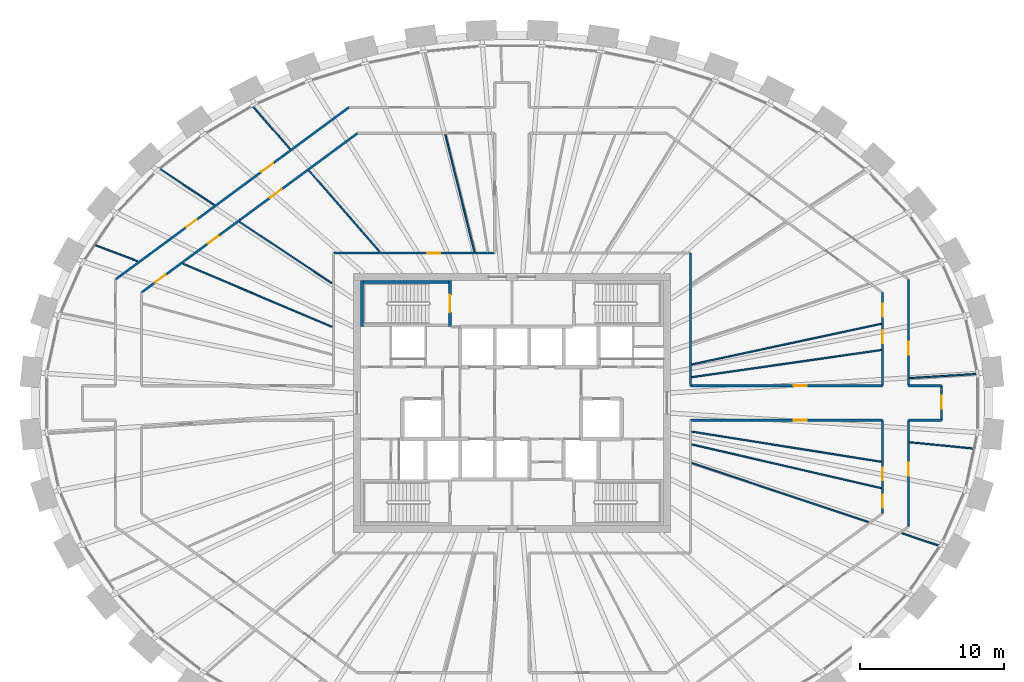
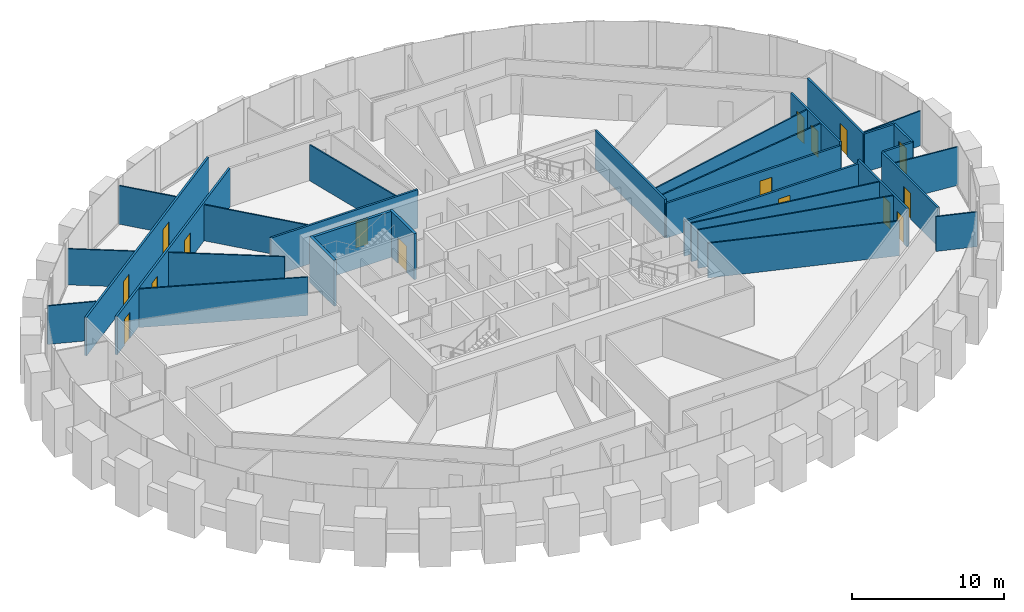
# One storey, part 9 of 12: 31 walls, 16 doors, 16 openings.
"""IFC4 building model written with IfcOpenShell, lengths in metres."""

from ifc_helpers import new_model, si_unit, direction, frame, frame_2d, origin, place, context, subcontext, project, spatial, rectangle, extrude, source, transform, mapped, material, layer, layer_set, type_object, element, fill, save


model = new_model("IFC4")

# Units and contexts
model_context = context("Model", 3, precision=1e-05, world=origin(), true_north=direction((0.0, 1.0)))
body_context = subcontext(model_context, "Body", "Model", "MODEL_VIEW")
ifc_project = project(units=[si_unit("LENGTHUNIT", "METRE"), si_unit("AREAUNIT", "SQUARE_METRE"), si_unit("VOLUMEUNIT", "CUBIC_METRE"), si_unit("PLANEANGLEUNIT", "RADIAN"), si_unit("MASSUNIT", "GRAM", prefix="KILO")], contexts=[model_context])

# Site, building, storey
site_placement = place(None, origin())
site = spatial("IfcSite", under=ifc_project, at=site_placement, CompositionType="ELEMENT")
building_placement = place(site_placement, origin())
building = spatial("IfcBuilding", under=site, at=building_placement, Name="Embergate Tower", CompositionType="ELEMENT")
storey_placement = place(building_placement, frame((0.0, 0.0, 246.10009765625)))
storey = spatial("IfcBuildingStorey", under=building, at=storey_placement, Name="L56", CompositionType="ELEMENT", Elevation=246.10009765625)

# Wall, opening, door
ifc_material_1 = material(Name="Concrete C50", Category="concrete")
ifc_layer_1 = layer(ifc_material_1, 0.199951171875)
ifc_layer_set_1 = layer_set([ifc_layer_1], Name="Concrete C50")
wall_type_1 = type_object("IfcWallType", Name="Stair enclosure wall reinforced concrete 250", PredefinedType="SHEAR", material=ifc_layer_set_1)
shared_shape_1 = source(origin(), body_context, "Body", "SweptSolid", [
    extrude(rectangle(XDim=3.199951171875, YDim=0.199951171875, at=frame_2d((1.60009765625, 0.0))), origin(), (0.0, 0.0, 1.0), 3.699951171875),
])
wall_1_placement = place(storey_placement, frame((-4.300048828125, 5.300048828125, 0.0), z_axis=(0.0, 0.0, 1.0), x_axis=(0.0, 1.0, 0.0)))
wall_1 = element("IfcWall", 1, at=wall_1_placement, inside=storey, type_object=wall_type_1, Name="SE-1 wall", PredefinedType="SHEAR", context=body_context, shape_type="MappedRepresentation", body=[
    mapped(shared_shape_1, transform((0.0, 0.0, 0.0))),
])
shared_shape_2 = source(origin(), body_context, "Body", "SweptSolid", [
    extrude(rectangle(XDim=1.199951171875, YDim=2.10009765625, at=frame_2d((0.60009765625, 1.050048828125))), frame((0.0, 0.10986328125, 0.0), z_axis=(0.0, -1.0, 0.0), x_axis=(1.0, 0.0, 0.0)), (0.0, 0.0, 1.0), 0.219970703125),
])
opening_1_placement = place(wall_1_placement, frame((1.0, 0.0, 0.0)))
opening_1 = element("IfcOpeningElement", 2, at=opening_1_placement, cuts=wall_1, Name="Opening IF-2", PredefinedType="OPENING", context=body_context, shape_type="MappedRepresentation", body=[
    mapped(shared_shape_2, transform((0.0, 0.0, 0.0))),
])
ifc_material_2 = material(Name="Stair enclosure door 1200")
door_type_1 = type_object("IfcDoorType", Name="Stair enclosure door 1200", OperationType="SINGLE_SWING_LEFT", PredefinedType="DOOR", material=ifc_material_2)
shared_shape_3 = source(origin(), body_context, "Body", "SweptSolid", [
    extrude(rectangle(XDim=1.199951171875, YDim=2.10009765625, at=frame_2d((0.60009765625, 1.050048828125))), frame((0.0, 0.02490234375, 0.0), z_axis=(0.0, -1.0, 0.0), x_axis=(1.0, 0.0, 0.0)), (0.0, 0.0, 1.0), 0.050048828125),
])
door_1_placement = place(opening_1_placement, origin())
door_1 = element("IfcDoor", 3, at=door_1_placement, inside=storey, type_object=door_type_1, Name="IF-2 door", OperationType="SINGLE_SWING_LEFT", OverallHeight=2.10009765625, OverallWidth=1.199951171875, PredefinedType="DOOR", context=body_context, shape_type="MappedRepresentation", body=[
    mapped(shared_shape_3, transform((0.0, 0.0, 0.0))),
])
fill(opening_1, door_1)

ifc_material_3 = material(Name="Corridor wall dry-lined 150 wet")
ifc_layer_2 = layer(ifc_material_3, 0.14990234375)
ifc_layer_set_2 = layer_set([ifc_layer_2], Name="Corridor wall dry-lined 150 wet")
wall_type_2 = type_object("IfcWallType", Name="Corridor wall dry-lined 150 wet", PredefinedType="PLUMBINGWALL", material=ifc_layer_set_2)
shared_shape_4 = source(origin(), body_context, "Body", "SweptSolid", [
    extrude(rectangle(XDim=2.39990234375, YDim=0.14990234375, at=frame_2d((1.199951171875, 0.0))), origin(), (0.0, 0.0, 1.0), 3.099853515625),
])
wall_2_placement = place(storey_placement, frame((29.803955078125, -1.199951171875, 0.0), z_axis=(0.0, 0.0, 1.0), x_axis=(0.0, 1.0, 0.0)))
wall_2 = element("IfcWall", 4, at=wall_2_placement, inside=storey, type_object=wall_type_2, Name="IP-2 wall", PredefinedType="PLUMBINGWALL", context=body_context, shape_type="MappedRepresentation", body=[
    mapped(shared_shape_4, transform((0.0, 0.0, 0.0))),
])
shared_shape_5 = source(origin(), body_context, "Body", "SweptSolid", [
    extrude(rectangle(XDim=0.89990234375, YDim=2.10009765625, at=frame_2d((0.449951171875, 1.050048828125))), frame((0.0, 0.0849609375, 0.0), z_axis=(0.0, -1.0, 0.0), x_axis=(1.0, 0.0, 0.0)), (0.0, 0.0, 1.0), 0.169921875),
])
opening_2_placement = place(wall_2_placement, frame((0.794921875, 0.0, 0.0)))
opening_2 = element("IfcOpeningElement", 5, at=opening_2_placement, cuts=wall_2, Name="Opening IF-1c", PredefinedType="OPENING", context=body_context, shape_type="MappedRepresentation", body=[
    mapped(shared_shape_5, transform((0.0, 0.0, 0.0))),
])
ifc_material_4 = material(Name="Escape fire door 900")
door_type_2 = type_object("IfcDoorType", Name="Escape fire door 900", OperationType="SINGLE_SWING_LEFT", PredefinedType="DOOR", material=ifc_material_4)
shared_shape_6 = source(origin(), body_context, "Body", "SweptSolid", [
    extrude(rectangle(XDim=0.89990234375, YDim=2.10009765625, at=frame_2d((0.449951171875, 1.050048828125))), frame((0.0, 0.02490234375, 0.0), z_axis=(0.0, -1.0, 0.0), x_axis=(1.0, 0.0, 0.0)), (0.0, 0.0, 1.0), 0.050048828125),
])
door_2_placement = place(opening_2_placement, origin())
door_2 = element("IfcDoor", 6, at=door_2_placement, inside=storey, type_object=door_type_2, Name="IF-1 door", OperationType="SINGLE_SWING_RIGHT", OverallHeight=2.10009765625, OverallWidth=0.89990234375, PredefinedType="DOOR", context=body_context, shape_type="MappedRepresentation", body=[
    mapped(shared_shape_6, transform((0.0, 0.0, 0.0))),
])
fill(opening_2, door_2)

shared_shape_7 = source(origin(), body_context, "Body", "SweptSolid", [
    extrude(rectangle(XDim=7.381103515625, YDim=0.14990234375, at=frame_2d((3.6904296875, 0.0))), origin(), (0.0, 0.0, 1.0), 3.099853515625),
])
wall_3_placement = place(storey_placement, frame((27.510986328125, -8.5810546875, 0.0), z_axis=(0.0, 0.0, 1.0), x_axis=(0.0, 1.0, 0.0)))
wall_3 = element("IfcWall", 7, at=wall_3_placement, inside=storey, type_object=wall_type_2, Name="IP-2 wall", PredefinedType="PLUMBINGWALL", context=body_context, shape_type="MappedRepresentation", body=[
    mapped(shared_shape_7, transform((0.0, 0.0, 0.0))),
])
opening_3_placement = place(wall_3_placement, frame((3.533447265625, 0.0, 0.0)))
opening_3 = element("IfcOpeningElement", 8, at=opening_3_placement, cuts=wall_3, Name="Opening IF-1c", PredefinedType="OPENING", context=body_context, shape_type="MappedRepresentation", body=[
    mapped(shared_shape_5, transform((0.0, 0.0, 0.0))),
])
door_3_placement = place(opening_3_placement, origin())
door_3 = element("IfcDoor", 9, at=door_3_placement, inside=storey, type_object=door_type_2, Name="IF-1 door", OperationType="SINGLE_SWING_LEFT", OverallHeight=2.10009765625, OverallWidth=0.89990234375, PredefinedType="DOOR", context=body_context, shape_type="MappedRepresentation", body=[
    mapped(shared_shape_6, transform((0.0, 0.0, 0.0))),
])
fill(opening_3, door_3)

wall_4_placement = place(storey_placement, frame((27.510986328125, 1.199951171875, 0.0), z_axis=(0.0, 0.0, 1.0), x_axis=(0.0, 1.0, 0.0)))
wall_4 = element("IfcWall", 10, at=wall_4_placement, inside=storey, type_object=wall_type_2, Name="IP-2 wall", PredefinedType="PLUMBINGWALL", context=body_context, shape_type="MappedRepresentation", body=[
    mapped(shared_shape_7, transform((0.0, 0.0, 0.0))),
])
opening_4_placement = place(wall_4_placement, frame((2.159912109375, 0.0, 0.0)))
opening_4 = element("IfcOpeningElement", 11, at=opening_4_placement, cuts=wall_4, Name="Opening IF-1c", PredefinedType="OPENING", context=body_context, shape_type="MappedRepresentation", body=[
    mapped(shared_shape_5, transform((0.0, 0.0, 0.0))),
])
door_4_placement = place(opening_4_placement, origin())
door_4 = element("IfcDoor", 12, at=door_4_placement, inside=storey, type_object=door_type_2, Name="IF-1 door", OperationType="SINGLE_SWING_RIGHT", OverallHeight=2.10009765625, OverallWidth=0.89990234375, PredefinedType="DOOR", context=body_context, shape_type="MappedRepresentation", body=[
    mapped(shared_shape_6, transform((0.0, 0.0, 0.0))),
])
fill(opening_4, door_4)

# Wall, openings, doors
ifc_material_5 = material(Name="Corridor wall dry-lined 150")
ifc_layer_3 = layer(ifc_material_5, 0.14990234375)
ifc_layer_set_3 = layer_set([ifc_layer_3], Name="Corridor wall dry-lined 150")
wall_type_3 = type_object("IfcWallType", Name="Corridor wall dry-lined 150", PredefinedType="PARTITIONING", material=ifc_layer_set_3)
shared_shape_8 = source(origin(), body_context, "Body", "SweptSolid", [
    extrude(rectangle(XDim=20.116455078125, YDim=0.14990234375, at=frame_2d((10.05810546875, 0.0))), origin(), (0.0, 0.0, 1.0), 3.099853515625),
])
wall_5_placement = place(storey_placement, frame((-27.510986328125, 8.5810546875, 0.0), z_axis=(0.0, 0.0, 1.0), x_axis=(0.804910001979, 0.593396906559, 0.0)))
wall_5 = element("IfcWall", 13, at=wall_5_placement, inside=storey, type_object=wall_type_3, Name="IP-2 wall", PredefinedType="PARTITIONING", context=body_context, shape_type="MappedRepresentation", body=[
    mapped(shared_shape_8, transform((0.0, 0.0, 0.0))),
])
shared_shape_9 = source(origin(), body_context, "Body", "SweptSolid", [
    extrude(rectangle(XDim=1.0, YDim=2.10009765625, at=frame_2d((0.5, 1.050048828125))), frame((0.0, 0.0849609375, 0.0), z_axis=(0.0, -1.0, 0.0), x_axis=(1.0, 0.0, 0.0)), (0.0, 0.0, 1.0), 0.169921875),
])
opening_5_placement = place(wall_5_placement, frame((12.591552734375, 0.0, 0.0)))
opening_5 = element("IfcOpeningElement", 14, at=opening_5_placement, cuts=wall_5, Name="Opening ID-2", PredefinedType="OPENING", context=body_context, shape_type="MappedRepresentation", body=[
    mapped(shared_shape_9, transform((0.0, 0.0, 0.0))),
])
opening_6_placement = place(wall_5_placement, frame((6.0927734375, 0.0, 0.0)))
opening_6 = element("IfcOpeningElement", 15, at=opening_6_placement, cuts=wall_5, Name="Opening IF-1c", PredefinedType="OPENING", context=body_context, shape_type="MappedRepresentation", body=[
    mapped(shared_shape_5, transform((0.0, 0.0, 0.0))),
])
door_5_placement = place(opening_6_placement, origin())
door_5 = element("IfcDoor", 16, at=door_5_placement, inside=storey, type_object=door_type_2, Name="IF-1 door", OperationType="SINGLE_SWING_LEFT", OverallHeight=2.10009765625, OverallWidth=0.89990234375, PredefinedType="DOOR", context=body_context, shape_type="MappedRepresentation", body=[
    mapped(shared_shape_6, transform((0.0, 0.0, 0.0))),
])
fill(opening_6, door_5)
ifc_material_6 = material(Name="Interior door 1000")
door_type_3 = type_object("IfcDoorType", Name="Interior door 1000", OperationType="SINGLE_SWING_LEFT", PredefinedType="DOOR", material=ifc_material_6)
shared_shape_10 = source(origin(), body_context, "Body", "SweptSolid", [
    extrude(rectangle(XDim=1.0, YDim=2.10009765625, at=frame_2d((0.5, 1.050048828125))), frame((0.0, 0.02490234375, 0.0), z_axis=(0.0, -1.0, 0.0), x_axis=(1.0, 0.0, 0.0)), (0.0, 0.0, 1.0), 0.050048828125),
])
door_6_placement = place(opening_5_placement, origin())
door_6 = element("IfcDoor", 17, at=door_6_placement, inside=storey, type_object=door_type_3, Name="ID-2 door", OperationType="SINGLE_SWING_RIGHT", OverallHeight=2.10009765625, OverallWidth=1.0, PredefinedType="DOOR", context=body_context, shape_type="MappedRepresentation", body=[
    mapped(shared_shape_10, transform((0.0, 0.0, 0.0))),
])
fill(opening_5, door_6)

shared_shape_11 = source(origin(), body_context, "Body", "SweptSolid", [
    extrude(rectangle(XDim=18.615966796875, YDim=0.14990234375, at=frame_2d((9.30810546875, 0.0))), origin(), (0.0, 0.0, 1.0), 3.099853515625),
])
wall_6_placement = place(storey_placement, frame((-25.7109375, 7.6708984375, 0.0), z_axis=(0.0, 0.0, 1.0), x_axis=(0.804892640185, 0.593420456149, 0.0)))
wall_6 = element("IfcWall", 18, at=wall_6_placement, inside=storey, type_object=wall_type_3, Name="IP-2 wall", PredefinedType="PARTITIONING", context=body_context, shape_type="MappedRepresentation", body=[
    mapped(shared_shape_11, transform((0.0, 0.0, 0.0))),
])
opening_7_placement = place(wall_6_placement, frame((11.076904296875, 0.0, 0.0)))
opening_7 = element("IfcOpeningElement", 19, at=opening_7_placement, cuts=wall_6, Name="Opening ID-2", PredefinedType="OPENING", context=body_context, shape_type="MappedRepresentation", body=[
    mapped(shared_shape_9, transform((0.0, 0.0, 0.0))),
])
opening_8_placement = place(wall_6_placement, frame((5.718994140625, 0.0, 0.0)))
opening_8 = element("IfcOpeningElement", 20, at=opening_8_placement, cuts=wall_6, Name="Opening IF-1c", PredefinedType="OPENING", context=body_context, shape_type="MappedRepresentation", body=[
    mapped(shared_shape_5, transform((0.0, 0.0, 0.0))),
])
opening_9_placement = place(wall_6_placement, frame((1.172119140625, 0.0, 0.0)))
opening_9 = element("IfcOpeningElement", 21, at=opening_9_placement, cuts=wall_6, Name="Opening IF-1c", PredefinedType="OPENING", context=body_context, shape_type="MappedRepresentation", body=[
    mapped(shared_shape_5, transform((0.0, 0.0, 0.0))),
])
door_7_placement = place(opening_8_placement, origin())
door_7 = element("IfcDoor", 22, at=door_7_placement, inside=storey, type_object=door_type_2, Name="IF-1 door", OperationType="SINGLE_SWING_RIGHT", OverallHeight=2.10009765625, OverallWidth=0.89990234375, PredefinedType="DOOR", context=body_context, shape_type="MappedRepresentation", body=[
    mapped(shared_shape_6, transform((0.0, 0.0, 0.0))),
])
fill(opening_8, door_7)
door_8_placement = place(opening_9_placement, origin())
door_8 = element("IfcDoor", 23, at=door_8_placement, inside=storey, type_object=door_type_2, Name="IF-1 door", OperationType="SINGLE_SWING_RIGHT", OverallHeight=2.10009765625, OverallWidth=0.89990234375, PredefinedType="DOOR", context=body_context, shape_type="MappedRepresentation", body=[
    mapped(shared_shape_6, transform((0.0, 0.0, 0.0))),
])
fill(opening_9, door_8)
door_9_placement = place(opening_7_placement, origin())
door_9 = element("IfcDoor", 24, at=door_9_placement, inside=storey, type_object=door_type_3, Name="ID-2 door", OperationType="SINGLE_SWING_LEFT", OverallHeight=2.10009765625, OverallWidth=1.0, PredefinedType="DOOR", context=body_context, shape_type="MappedRepresentation", body=[
    mapped(shared_shape_10, transform((0.0, 0.0, 0.0))),
])
fill(opening_7, door_9)

# Wall
shared_shape_12 = source(origin(), body_context, "Body", "SweptSolid", [
    extrude(rectangle(XDim=9.199951171875, YDim=0.14990234375, at=frame_2d((4.60009765625, 0.0))), origin(), (0.0, 0.0, 1.0), 3.099853515625),
])
wall_7_placement = place(storey_placement, frame((12.39990234375, 1.199951171875, 0.0), z_axis=(0.0, 0.0, 1.0), x_axis=(0.0, 1.0, 0.0)))
element("IfcWall", 25, at=wall_7_placement, inside=storey, type_object=wall_type_2, Name="IP-2 wall", PredefinedType="PLUMBINGWALL", context=body_context, shape_type="MappedRepresentation", body=[
    mapped(shared_shape_12, transform((0.0, 0.0, 0.0))),
])

# Wall, opening, door
shared_shape_13 = source(origin(), body_context, "Body", "SweptSolid", [
    extrude(rectangle(XDim=11.199951171875, YDim=0.14990234375, at=frame_2d((5.60009765625, 0.0))), origin(), (0.0, 0.0, 1.0), 3.099853515625),
])
wall_8_placement = place(storey_placement, frame((-12.39990234375, 10.39990234375, 0.0), z_axis=(0.0, 0.0, 1.0), x_axis=(1.0, 0.0, 0.0)))
wall_8 = element("IfcWall", 26, at=wall_8_placement, inside=storey, type_object=wall_type_3, Name="IP-2 wall", PredefinedType="PARTITIONING", context=body_context, shape_type="MappedRepresentation", body=[
    mapped(shared_shape_13, transform((0.0, 0.0, 0.0))),
])
opening_10_placement = place(wall_8_placement, frame((6.513916015625, 0.0, 0.0)))
opening_10 = element("IfcOpeningElement", 27, at=opening_10_placement, cuts=wall_8, Name="Opening IF-1c", PredefinedType="OPENING", context=body_context, shape_type="MappedRepresentation", body=[
    mapped(shared_shape_5, transform((0.0, 0.0, 0.0))),
])
door_10_placement = place(opening_10_placement, origin())
door_10 = element("IfcDoor", 28, at=door_10_placement, inside=storey, type_object=door_type_2, Name="IF-1 door", OperationType="SINGLE_SWING_LEFT", OverallHeight=2.10009765625, OverallWidth=0.89990234375, PredefinedType="DOOR", context=body_context, shape_type="MappedRepresentation", body=[
    mapped(shared_shape_6, transform((0.0, 0.0, 0.0))),
])
fill(opening_10, door_10)

# Walls
shared_shape_14 = source(origin(), body_context, "Body", "SweptSolid", [
    extrude(rectangle(XDim=2.29296875, YDim=0.14990234375, at=frame_2d((1.146484375, 0.0))), origin(), (0.0, 0.0, 1.0), 3.099853515625),
])
for number, where, z_axis, x_axis, name in (
    (29, (27.510986328125, -1.199951171875, 0.0), (0.0, 0.0, 1.0), (1.0, 0.0, 0.0), "IP-2 wall"),
    (30, (29.803955078125, 1.199951171875, 0.0), (0.0, 0.0, 1.0), (-1.0, 0.0, 0.0), "IP-2 wall"),
):
    element("IfcWall", number, at=place(storey_placement, frame(where, z_axis=z_axis, x_axis=x_axis)), inside=storey, type_object=wall_type_2, Name=name, PredefinedType="PLUMBINGWALL", context=body_context, shape_type="MappedRepresentation", body=[
        mapped(shared_shape_14, transform((0.0, 0.0, 0.0))),
    ])

# Wall, openings, doors
shared_shape_15 = source(origin(), body_context, "Body", "SweptSolid", [
    extrude(rectangle(XDim=6.470947265625, YDim=0.14990234375, at=frame_2d((3.2353515625, 0.0))), origin(), (0.0, 0.0, 1.0), 3.099853515625),
])
wall_9_placement = place(storey_placement, frame((25.7109375, 7.6708984375, 0.0), z_axis=(0.0, 0.0, 1.0), x_axis=(0.0, -1.0, 0.0)))
wall_9 = element("IfcWall", 31, at=wall_9_placement, inside=storey, type_object=wall_type_2, Name="IP-2 wall", PredefinedType="PLUMBINGWALL", context=body_context, shape_type="MappedRepresentation", body=[
    mapped(shared_shape_15, transform((0.0, 0.0, 0.0))),
])
opening_11_placement = place(wall_9_placement, frame((2.63623046875, 0.0, 0.0)))
opening_11 = element("IfcOpeningElement", 32, at=opening_11_placement, cuts=wall_9, Name="Opening IF-1c", PredefinedType="OPENING", context=body_context, shape_type="MappedRepresentation", body=[
    mapped(shared_shape_5, transform((0.0, 0.0, 0.0))),
])
opening_12_placement = place(wall_9_placement, frame((0.789306640625, 0.0, 0.0)))
opening_12 = element("IfcOpeningElement", 33, at=opening_12_placement, cuts=wall_9, Name="Opening IF-1c", PredefinedType="OPENING", context=body_context, shape_type="MappedRepresentation", body=[
    mapped(shared_shape_5, transform((0.0, 0.0, 0.0))),
])
door_11_placement = place(opening_11_placement, origin())
door_11 = element("IfcDoor", 34, at=door_11_placement, inside=storey, type_object=door_type_2, Name="IF-1 door", OperationType="SINGLE_SWING_LEFT", OverallHeight=2.10009765625, OverallWidth=0.89990234375, PredefinedType="DOOR", context=body_context, shape_type="MappedRepresentation", body=[
    mapped(shared_shape_6, transform((0.0, 0.0, 0.0))),
])
fill(opening_11, door_11)
door_12_placement = place(opening_12_placement, origin())
door_12 = element("IfcDoor", 35, at=door_12_placement, inside=storey, type_object=door_type_2, Name="IF-1 door", OperationType="SINGLE_SWING_LEFT", OverallHeight=2.10009765625, OverallWidth=0.89990234375, PredefinedType="DOOR", context=body_context, shape_type="MappedRepresentation", body=[
    mapped(shared_shape_6, transform((0.0, 0.0, 0.0))),
])
fill(opening_12, door_12)

wall_10_placement = place(storey_placement, frame((25.7109375, -1.199951171875, 0.0), z_axis=(0.0, 0.0, 1.0), x_axis=(0.0, -1.0, 0.0)))
wall_10 = element("IfcWall", 36, at=wall_10_placement, inside=storey, type_object=wall_type_2, Name="IP-2 wall", PredefinedType="PLUMBINGWALL", context=body_context, shape_type="MappedRepresentation", body=[
    mapped(shared_shape_15, transform((0.0, 0.0, 0.0))),
])
opening_13_placement = place(wall_10_placement, frame((5.159912109375, 0.0, 0.0)))
opening_13 = element("IfcOpeningElement", 37, at=opening_13_placement, cuts=wall_10, Name="Opening IF-1c", PredefinedType="OPENING", context=body_context, shape_type="MappedRepresentation", body=[
    mapped(shared_shape_5, transform((0.0, 0.0, 0.0))),
])
opening_14_placement = place(wall_10_placement, frame((3.277099609375, 0.0, 0.0)))
opening_14 = element("IfcOpeningElement", 38, at=opening_14_placement, cuts=wall_10, Name="Opening IF-1c", PredefinedType="OPENING", context=body_context, shape_type="MappedRepresentation", body=[
    mapped(shared_shape_5, transform((0.0, 0.0, 0.0))),
])
door_13_placement = place(opening_13_placement, origin())
door_13 = element("IfcDoor", 39, at=door_13_placement, inside=storey, type_object=door_type_2, Name="IF-1 door", OperationType="SINGLE_SWING_LEFT", OverallHeight=2.10009765625, OverallWidth=0.89990234375, PredefinedType="DOOR", context=body_context, shape_type="MappedRepresentation", body=[
    mapped(shared_shape_6, transform((0.0, 0.0, 0.0))),
])
fill(opening_13, door_13)
door_14_placement = place(opening_14_placement, origin())
door_14 = element("IfcDoor", 40, at=door_14_placement, inside=storey, type_object=door_type_2, Name="IF-1 door", OperationType="SINGLE_SWING_RIGHT", OverallHeight=2.10009765625, OverallWidth=0.89990234375, PredefinedType="DOOR", context=body_context, shape_type="MappedRepresentation", body=[
    mapped(shared_shape_6, transform((0.0, 0.0, 0.0))),
])
fill(opening_14, door_14)

# Wall, opening, door
shared_shape_16 = source(origin(), body_context, "Body", "SweptSolid", [
    extrude(rectangle(XDim=13.31103515625, YDim=0.14990234375, at=frame_2d((6.655517578125, 0.0))), origin(), (0.0, 0.0, 1.0), 2.7998046875),
])
wall_11_placement = place(storey_placement, frame((25.7109375, 1.199951171875, 0.0), z_axis=(0.0, 0.0, 1.0), x_axis=(-1.0, 0.0, 0.0)))
wall_11 = element("IfcWall", 41, at=wall_11_placement, inside=storey, type_object=wall_type_2, Name="IP-2 wall", PredefinedType="PLUMBINGWALL", context=body_context, shape_type="MappedRepresentation", body=[
    mapped(shared_shape_16, transform((0.0, 0.0, 0.0))),
])
opening_15_placement = place(wall_11_placement, frame((5.260498046875, 0.0, 0.0)))
opening_15 = element("IfcOpeningElement", 42, at=opening_15_placement, cuts=wall_11, Name="Opening IF-1c", PredefinedType="OPENING", context=body_context, shape_type="MappedRepresentation", body=[
    mapped(shared_shape_5, transform((0.0, 0.0, 0.0))),
])
door_15_placement = place(opening_15_placement, origin())
door_15 = element("IfcDoor", 43, at=door_15_placement, inside=storey, type_object=door_type_2, Name="IF-1 door", OperationType="SINGLE_SWING_LEFT", OverallHeight=2.10009765625, OverallWidth=0.89990234375, PredefinedType="DOOR", context=body_context, shape_type="MappedRepresentation", body=[
    mapped(shared_shape_6, transform((0.0, 0.0, 0.0))),
])
fill(opening_15, door_15)

wall_12_placement = place(storey_placement, frame((25.7109375, -1.199951171875, 0.0), z_axis=(0.0, 0.0, 1.0), x_axis=(-1.0, 0.0, 0.0)))
wall_12 = element("IfcWall", 44, at=wall_12_placement, inside=storey, type_object=wall_type_2, Name="IP-2 wall", PredefinedType="PLUMBINGWALL", context=body_context, shape_type="MappedRepresentation", body=[
    mapped(shared_shape_16, transform((0.0, 0.0, 0.0))),
])
opening_16_placement = place(wall_12_placement, frame((5.260498046875, 0.0, 0.0)))
opening_16 = element("IfcOpeningElement", 45, at=opening_16_placement, cuts=wall_12, Name="Opening IF-1c", PredefinedType="OPENING", context=body_context, shape_type="MappedRepresentation", body=[
    mapped(shared_shape_5, transform((0.0, 0.0, 0.0))),
])
door_16_placement = place(opening_16_placement, origin())
door_16 = element("IfcDoor", 46, at=door_16_placement, inside=storey, type_object=door_type_2, Name="IF-1 door", OperationType="SINGLE_SWING_RIGHT", OverallHeight=2.10009765625, OverallWidth=0.89990234375, PredefinedType="DOOR", context=body_context, shape_type="MappedRepresentation", body=[
    mapped(shared_shape_6, transform((0.0, 0.0, 0.0))),
])
fill(opening_16, door_16)

# Walls
ifc_material_7 = material(Name="Partition dry-lined 100 wet")
ifc_layer_4 = layer(ifc_material_7, 0.10009765625)
ifc_layer_set_4 = layer_set([ifc_layer_4], Name="Partition dry-lined 100 wet")
wall_type_4 = type_object("IfcWallType", Name="Partition dry-lined 100 wet", PredefinedType="PLUMBINGWALL", material=ifc_layer_set_4)
shared_shape_17 = source(origin(), body_context, "Body", "SweptSolid", [
    extrude(rectangle(XDim=2.779296875, YDim=0.10009765625, at=frame_2d((1.3896484375, 0.0))), origin(), (0.0, 0.0, 1.0), 2.7998046875),
])
wall_13_placement = place(storey_placement, frame((29.696044921875, -9.923095703125, 0.0), z_axis=(0.0, 0.0, 1.0), x_axis=(-0.9484194456, 0.317018225356, 0.0)))
element("IfcWall", 47, at=wall_13_placement, inside=storey, type_object=wall_type_4, Name="IP-1 wall", PredefinedType="PLUMBINGWALL", context=body_context, shape_type="MappedRepresentation", body=[
    mapped(shared_shape_17, transform((0.0, 0.0, 0.0))),
])
shared_shape_18 = source(origin(), body_context, "Body", "SweptSolid", [
    extrude(rectangle(XDim=12.906005859375, YDim=0.10009765625, at=frame_2d((6.453125, 0.0))), origin(), (0.0, 0.0, 1.0), 2.7998046875),
])
wall_14_placement = place(storey_placement, frame((24.73193359375, -8.263916015625, 0.0), z_axis=(0.0, 0.0, 1.0), x_axis=(-0.948461740931, 0.316891662859, 0.0)))
element("IfcWall", 48, at=wall_14_placement, inside=storey, type_object=wall_type_4, Name="IP-1 wall", PredefinedType="PLUMBINGWALL", context=body_context, shape_type="MappedRepresentation", body=[
    mapped(shared_shape_18, transform((0.0, 0.0, 0.0))),
])
shared_shape_19 = source(origin(), body_context, "Body", "SweptSolid", [
    extrude(rectangle(XDim=4.569091796875, YDim=0.10009765625, at=frame_2d((2.28466796875, 0.0))), origin(), (0.0, 0.0, 1.0), 3.099853515625),
])
wall_15_placement = place(storey_placement, frame((32.133056640625, -3.1708984375, 0.0), z_axis=(0.0, 0.0, 1.0), x_axis=(-0.995181611361, 0.098048765468, 0.0)))
element("IfcWall", 49, at=wall_15_placement, inside=storey, type_object=wall_type_4, Name="IP-1 wall", PredefinedType="PLUMBINGWALL", context=body_context, shape_type="MappedRepresentation", body=[
    mapped(shared_shape_19, transform((0.0, 0.0, 0.0))),
])
shared_shape_20 = source(origin(), body_context, "Body", "SweptSolid", [
    extrude(rectangle(XDim=4.71923828125, YDim=0.10009765625, at=frame_2d((2.359619140625, 0.0))), origin(), (0.0, 0.0, 1.0), 2.7998046875),
])
wall_16_placement = place(storey_placement, frame((27.5859375, 1.72509765625, 0.0), z_axis=(0.0, 0.0, 1.0), x_axis=(0.998058210831, 0.062288103143, 0.0)))
element("IfcWall", 50, at=wall_16_placement, inside=storey, type_object=wall_type_4, Name="IP-1 wall", PredefinedType="PLUMBINGWALL", context=body_context, shape_type="MappedRepresentation", body=[
    mapped(shared_shape_20, transform((0.0, 0.0, 0.0))),
])
shared_shape_21 = source(origin(), body_context, "Body", "SweptSolid", [
    extrude(rectangle(XDim=13.281494140625, YDim=0.10009765625, at=frame_2d((6.640625, 0.0))), origin(), (0.0, 0.0, 1.0), 3.099853515625),
])
wall_17_placement = place(storey_placement, frame((12.48193359375, 1.791015625, 0.0), z_axis=(0.0, 0.0, 1.0), x_axis=(0.989866605663, 0.142000362651, 0.0)))
element("IfcWall", 51, at=wall_17_placement, inside=storey, type_object=wall_type_4, Name="IP-1 wall", PredefinedType="PLUMBINGWALL", context=body_context, shape_type="MappedRepresentation", body=[
    mapped(shared_shape_21, transform((0.0, 0.0, 0.0))),
])
shared_shape_22 = source(origin(), body_context, "Body", "SweptSolid", [
    extrude(rectangle(XDim=13.438720703125, YDim=0.10009765625, at=frame_2d((6.71923828125, 0.0))), origin(), (0.0, 0.0, 1.0), 3.099853515625),
])
wall_18_placement = place(storey_placement, frame((12.486083984375, 2.677978515625, 0.0), z_axis=(0.0, 0.0, 1.0), x_axis=(0.977765444558, 0.209701538926, 0.0)))
element("IfcWall", 52, at=wall_18_placement, inside=storey, type_object=wall_type_4, Name="IP-1 wall", PredefinedType="PLUMBINGWALL", context=body_context, shape_type="MappedRepresentation", body=[
    mapped(shared_shape_22, transform((0.0, 0.0, 0.0))),
])
shared_shape_23 = source(origin(), body_context, "Body", "SweptSolid", [
    extrude(rectangle(XDim=13.48388671875, YDim=0.10009765625, at=frame_2d((6.741943359375, 0.0))), origin(), (0.0, 0.0, 1.0), 3.099853515625),
])
wall_19_placement = place(storey_placement, frame((12.486083984375, -2.87890625, 0.0), z_axis=(0.0, 0.0, 1.0), x_axis=(0.974424142675, -0.224716688681, 0.0)))
element("IfcWall", 53, at=wall_19_placement, inside=storey, type_object=wall_type_4, Name="IP-1 wall", PredefinedType="PLUMBINGWALL", context=body_context, shape_type="MappedRepresentation", body=[
    mapped(shared_shape_23, transform((0.0, 0.0, 0.0))),
])
shared_shape_24 = source(origin(), body_context, "Body", "SweptSolid", [
    extrude(rectangle(XDim=13.3115234375, YDim=0.10009765625, at=frame_2d((6.65576171875, 0.0))), origin(), (0.0, 0.0, 1.0), 3.099853515625),
])
wall_20_placement = place(storey_placement, frame((12.48291015625, -1.987060546875, 0.0), z_axis=(0.0, 0.0, 1.0), x_axis=(0.987561543038, -0.157232944108, 0.0)))
element("IfcWall", 54, at=wall_20_placement, inside=storey, type_object=wall_type_4, Name="IP-1 wall", PredefinedType="PLUMBINGWALL", context=body_context, shape_type="MappedRepresentation", body=[
    mapped(shared_shape_24, transform((0.0, 0.0, 0.0))),
])
ifc_material_8 = material(Name="Partition dry-lined 100")
ifc_layer_5 = layer(ifc_material_8, 0.10009765625)
ifc_layer_set_5 = layer_set([ifc_layer_5], Name="Partition dry-lined 100")
wall_type_5 = type_object("IfcWallType", Name="Partition dry-lined 100", PredefinedType="PARTITIONING", material=ifc_layer_set_5)
shared_shape_25 = source(origin(), body_context, "Body", "SweptSolid", [
    extrude(rectangle(XDim=8.3916015625, YDim=0.10009765625, at=frame_2d((4.19580078125, 0.0))), origin(), (0.0, 0.0, 1.0), 2.89990234375),
])
wall_21_placement = place(storey_placement, frame((-2.60400390625, 10.487060546875, 0.0), z_axis=(0.0, 0.0, 1.0), x_axis=(-0.241070395173, 0.970507632413, 0.0)))
element("IfcWall", 55, at=wall_21_placement, inside=storey, type_object=wall_type_5, Name="IP-1 wall", PredefinedType="PARTITIONING", context=body_context, shape_type="MappedRepresentation", body=[
    mapped(shared_shape_25, transform((0.0, 0.0, 0.0))),
])
shared_shape_26 = source(origin(), body_context, "Body", "SweptSolid", [
    extrude(rectangle(XDim=4.01123046875, YDim=0.10009765625, at=frame_2d((2.005615234375, 0.0))), origin(), (0.0, 0.0, 1.0), 3.099853515625),
])
wall_22_placement = place(storey_placement, frame((-15.39111328125, 17.60791015625, 0.0), z_axis=(0.0, 0.0, 1.0), x_axis=(-0.658133951354, 0.752900858065, 0.0)))
element("IfcWall", 56, at=wall_22_placement, inside=storey, type_object=wall_type_5, Name="IP-1 wall", PredefinedType="PARTITIONING", context=body_context, shape_type="MappedRepresentation", body=[
    mapped(shared_shape_26, transform((0.0, 0.0, 0.0))),
])
shared_shape_27 = source(origin(), body_context, "Body", "SweptSolid", [
    extrude(rectangle(XDim=4.567138671875, YDim=0.10009765625, at=frame_2d((2.28369140625, 0.0))), origin(), (0.0, 0.0, 1.0), 2.89990234375),
])
wall_23_placement = place(storey_placement, frame((-20.6630859375, 13.742919921875, 0.0), z_axis=(0.0, 0.0, 1.0), x_axis=(-0.832682999304, 0.553749964036, 0.0)))
element("IfcWall", 57, at=wall_23_placement, inside=storey, type_object=wall_type_5, Name="IP-1 wall", PredefinedType="PARTITIONING", context=body_context, shape_type="MappedRepresentation", body=[
    mapped(shared_shape_27, transform((0.0, 0.0, 0.0))),
])
shared_shape_28 = source(origin(), body_context, "Body", "SweptSolid", [
    extrude(rectangle(XDim=7.473876953125, YDim=0.10009765625, at=frame_2d((3.73681640625, 0.0))), origin(), (0.0, 0.0, 1.0), 2.89990234375),
])
wall_24_placement = place(storey_placement, frame((-9.18505859375, 10.508056640625, 0.0), z_axis=(0.0, 0.0, 1.0), x_axis=(-0.658153016014, 0.752884192629, 0.0)))
element("IfcWall", 58, at=wall_24_placement, inside=storey, type_object=wall_type_5, Name="IP-1 wall", PredefinedType="PARTITIONING", context=body_context, shape_type="MappedRepresentation", body=[
    mapped(shared_shape_28, transform((0.0, 0.0, 0.0))),
])
shared_shape_29 = source(origin(), body_context, "Body", "SweptSolid", [
    extrude(rectangle(XDim=7.690185546875, YDim=0.10009765625, at=frame_2d((3.84521484375, 0.0))), origin(), (0.0, 0.0, 1.0), 2.89990234375),
])
wall_25_placement = place(storey_placement, frame((-12.5029296875, 8.31494140625, 0.0), z_axis=(0.0, 0.0, 1.0), x_axis=(-0.83263105363, 0.553828067662, 0.0)))
element("IfcWall", 59, at=wall_25_placement, inside=storey, type_object=wall_type_5, Name="IP-1 wall", PredefinedType="PARTITIONING", context=body_context, shape_type="MappedRepresentation", body=[
    mapped(shared_shape_29, transform((0.0, 0.0, 0.0))),
])
shared_shape_30 = source(origin(), body_context, "Body", "SweptSolid", [
    extrude(rectangle(XDim=3.279541015625, YDim=0.10009765625, at=frame_2d((1.6396484375, 0.0))), origin(), (0.0, 0.0, 1.0), 3.099853515625),
])
wall_26_placement = place(storey_placement, frame((-25.97705078125, 9.839111328125, 0.0), z_axis=(0.0, 0.0, 1.0), x_axis=(-0.935143004526, 0.354270463186, 0.0)))
element("IfcWall", 60, at=wall_26_placement, inside=storey, type_object=wall_type_5, Name="IP-1 wall", PredefinedType="PARTITIONING", context=body_context, shape_type="MappedRepresentation", body=[
    mapped(shared_shape_30, transform((0.0, 0.0, 0.0))),
])
shared_shape_31 = source(origin(), body_context, "Body", "SweptSolid", [
    extrude(rectangle(XDim=11.22998046875, YDim=0.10009765625, at=frame_2d((5.614990234375, 0.0))), origin(), (0.0, 0.0, 1.0), 3.099853515625),
])
wall_27_placement = place(storey_placement, frame((-12.4951171875, 5.2880859375, 0.0), z_axis=(0.0, 0.0, 1.0), x_axis=(-0.920916834358, 0.389759136128, 0.0)))
element("IfcWall", 61, at=wall_27_placement, inside=storey, type_object=wall_type_5, Name="IP-1 wall", PredefinedType="PARTITIONING", context=body_context, shape_type="MappedRepresentation", body=[
    mapped(shared_shape_31, transform((0.0, 0.0, 0.0))),
])
shared_shape_32 = source(origin(), body_context, "Body", "SweptSolid", [
    extrude(rectangle(XDim=6.298095703125, YDim=0.199951171875, at=frame_2d((3.14892578125, 0.0))), origin(), (0.0, 0.0, 1.0), 3.699951171875),
])
wall_28_placement = place(storey_placement, frame((-4.201904296875, 8.39990234375, 0.0), z_axis=(0.0, 0.0, 1.0), x_axis=(-1.0, 0.0, 0.0)))
element("IfcWall", 62, at=wall_28_placement, inside=storey, type_object=wall_type_1, Name="SE-1 wall", PredefinedType="SHEAR", context=body_context, shape_type="MappedRepresentation", body=[
    mapped(shared_shape_32, transform((0.0, 0.0, 0.0))),
])
shared_shape_33 = source(origin(), body_context, "Body", "SweptSolid", [
    extrude(rectangle(XDim=3.197998046875, YDim=0.199951171875, at=frame_2d((1.59912109375, 0.0))), origin(), (0.0, 0.0, 1.0), 3.699951171875),
])
wall_29_placement = place(storey_placement, frame((-10.39990234375, 8.5, 0.0), z_axis=(0.0, 0.0, 1.0), x_axis=(0.0, -1.0, 0.0)))
element("IfcWall", 63, at=wall_29_placement, inside=storey, type_object=wall_type_1, Name="SE-1 wall", PredefinedType="SHEAR", context=body_context, shape_type="MappedRepresentation", body=[
    mapped(shared_shape_33, transform((0.0, 0.0, 0.0))),
])

save(model, "model.ifc")
